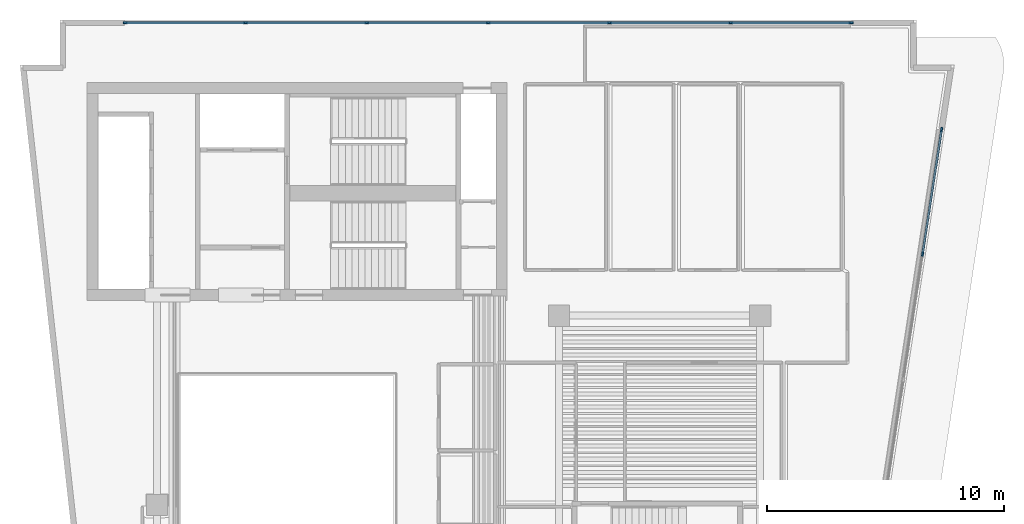
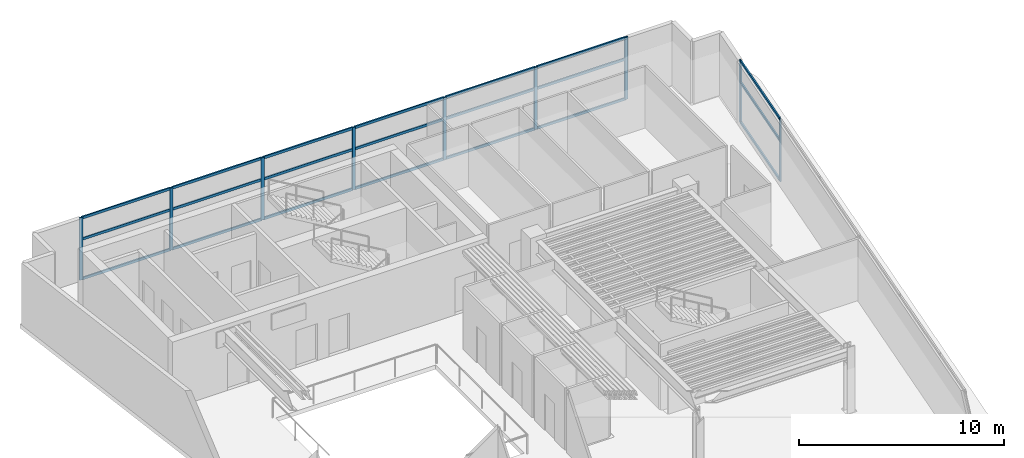
# One storey, part 2 of 8: 30 members, 2 elements without a shape of their own.
"""IFC4 building model written with IfcOpenShell, lengths in metres."""

import ifcopenshell
import ifcopenshell.guid

model = None  # the IFC model being written
_history = None  # IfcOwnerHistory: only IFC2X3 demands one
_inside = {}  # id of a spatial element -> (the spatial element, [elements in it])
_under = {}  # id of a project, library or spatial element -> (it, [spatial elements below it])
_declared = {}  # id of a project -> (the project, [libraries it declares])
_typed = {}  # id of a type object -> (the type object, [elements of that type])
_made_of = {}  # id of a material, layer set ... -> (it, [elements and type objects made of it])


def new_model(schema):
    """Start an empty IFC model of exactly this schema.

    Asked for "IFC4X3", IfcOpenShell would pick the latest addendum, in which some entities
    have other attributes; the version numbers below select the first issue.
    IFC2X3 requires an IfcOwnerHistory on every rooted entity: one is made here for all.
    """
    global model, _history
    if schema == "IFC4X3":
        model = ifcopenshell.file(schema_version=(4, 3, 0, 0))
    else:
        model = ifcopenshell.file(schema=schema)
    _inside.clear()
    _under.clear()
    _declared.clear()
    _typed.clear()
    _made_of.clear()
    _history = None
    if model.schema == "IFC2X3":
        org = make("IfcOrganization", Name="unknown")
        user = make(
            "IfcPersonAndOrganization",
            ThePerson=make("IfcPerson", FamilyName="unknown"),
            TheOrganization=org,
        )
        app = make(
            "IfcApplication",
            ApplicationDeveloper=org,
            Version="unknown",
            ApplicationFullName="unknown",
            ApplicationIdentifier="unknown",
        )
        _history = make(
            "IfcOwnerHistory",
            OwningUser=user,
            OwningApplication=app,
            ChangeAction="ADDED",
            CreationDate=0,
        )
    return model


def make(cls, **values):
    """One entity of the class cls with the attributes given. An attribute that is None is left unset."""
    return model.create_entity(
        cls, **{name: value for name, value in values.items() if value is not None}
    )


def rooted(cls, **values):
    """An entity with a GlobalId (a new one), such as an element, a storey or a relation."""
    return make(cls, GlobalId=ifcopenshell.guid.new(), OwnerHistory=_history, **values)


def si_unit(unit_type, name, prefix=None):
    """IfcSIUnit, for example si_unit("LENGTHUNIT", "METRE", prefix="MILLI")."""
    return make("IfcSIUnit", UnitType=unit_type, Prefix=prefix, Name=name)


def assignment(units):
    """IfcUnitAssignment: the units of a project."""
    return None if units is None else make("IfcUnitAssignment", Units=units)


def point(xyz):
    """IfcCartesianPoint."""
    return None if xyz is None else make("IfcCartesianPoint", Coordinates=xyz)


def direction(xyz):
    """IfcDirection."""
    return None if xyz is None else make("IfcDirection", DirectionRatios=xyz)


def frame(location, z_axis=None, x_axis=None):
    """IfcAxis2Placement3D, a coordinate frame: its origin and axes. An axis left out is left unset."""
    return make(
        "IfcAxis2Placement3D",
        Location=point(location),
        Axis=direction(z_axis),
        RefDirection=direction(x_axis),
    )


def frame_2d(location, x_axis=None):
    """IfcAxis2Placement2D, a coordinate frame in the plane: its origin and x axis."""
    return make(
        "IfcAxis2Placement2D", Location=point(location), RefDirection=direction(x_axis)
    )


def origin():
    """The frame at (0, 0, 0) with its axes left unset."""
    return frame((0.0, 0.0, 0.0))


def origin_2d():
    """The frame at (0, 0) in the plane with its x axis left unset."""
    return frame_2d((0.0, 0.0))


def place(relative_to, where):
    """IfcLocalPlacement: puts the frame where relative to a parent placement (None: the world)."""
    return make(
        "IfcLocalPlacement", PlacementRelTo=relative_to, RelativePlacement=where
    )


def context(
    kind, dimensions, precision=None, world=None, true_north=None, identifier=None
):
    """IfcGeometricRepresentationContext, for example the 3D "Model" context."""
    return make(
        "IfcGeometricRepresentationContext",
        ContextIdentifier=identifier,
        ContextType=kind,
        CoordinateSpaceDimension=dimensions,
        Precision=precision,
        WorldCoordinateSystem=world,
        TrueNorth=true_north,
    )


def subcontext(parent, identifier, kind, view, scale=None):
    """IfcGeometricRepresentationSubContext, for example "Body" below "Model"."""
    return make(
        "IfcGeometricRepresentationSubContext",
        ContextIdentifier=identifier,
        ContextType=kind,
        ParentContext=parent,
        TargetScale=scale,
        TargetView=view,
    )


def project(units=None, contexts=None):
    """IfcProject with its units and contexts."""
    return rooted(
        "IfcProject",
        Name="project",
        RepresentationContexts=contexts,
        UnitsInContext=assignment(units),
    )


def spatial(cls, under=None, at=None, **own):
    """A site, building, storey or space (cls), placed at a placement, below another one or the project."""
    s = rooted(cls, ObjectPlacement=at, **own)
    if under is not None:
        _under.setdefault(under.id(), (under, []))[1].append(s)
    return s


def profile(cls, at=None, kind="AREA", **sizes):
    """A parametric profile (cls). Its sizes go by their IFC names, for example OverallWidth=200.0."""
    return make(cls, ProfileType=kind, Position=at, **sizes)


def rectangle(**sizes):
    """IfcRectangleProfileDef."""
    return profile("IfcRectangleProfileDef", **sizes)


def extrude(swept, where, along, depth):
    """IfcExtrudedAreaSolid: the profile swept, set in the frame where, extruded along a direction by depth."""
    return make(
        "IfcExtrudedAreaSolid",
        SweptArea=swept,
        Position=where,
        ExtrudedDirection=direction(along),
        Depth=depth,
    )


def shape(context_of_items, identifier, shape_type, items):
    """IfcShapeRepresentation: the items that make up one representation, for example the "Body"."""
    return make(
        "IfcShapeRepresentation",
        ContextOfItems=context_of_items,
        RepresentationIdentifier=identifier,
        RepresentationType=shape_type,
        Items=items,
    )


def material(Name=None, Category=None):
    """IfcMaterial."""
    return make("IfcMaterial", Name=Name, Category=Category)


def layer(
    of_material, thickness, ventilated=None, Name=None, Category=None, Priority=None
):
    """IfcMaterialLayer: one layer of a wall or slab, of a material (None: an air gap)."""
    return make(
        "IfcMaterialLayer",
        Material=of_material,
        LayerThickness=thickness,
        IsVentilated=ventilated,
        Name=Name,
        Category=Category,
        Priority=Priority,
    )


def layer_set(layers, Name=None):
    """IfcMaterialLayerSet."""
    return make("IfcMaterialLayerSet", MaterialLayers=layers, LayerSetName=Name)


def material_profile(
    of_material, cross_section, Name=None, Category=None, Priority=None
):
    """IfcMaterialProfile: a cross section and its material."""
    return make(
        "IfcMaterialProfile",
        Name=Name,
        Material=of_material,
        Profile=cross_section,
        Priority=Priority,
        Category=Category,
    )


def profile_set(profiles, Name=None, composite=None):
    """IfcMaterialProfileSet."""
    return make(
        "IfcMaterialProfileSet",
        Name=Name,
        MaterialProfiles=profiles,
        CompositeProfile=composite,
    )


def made_of(thing, what):
    """Note that an element or type object is made of a material, layer set ...; save() writes the relation."""
    if what is not None:
        _made_of.setdefault(what.id(), (what, []))[1].append(thing)
    return thing


def type_object(cls, material=None, **own):
    """A type object (cls), such as IfcWallType, which elements share."""
    return made_of(rooted(cls, **own), material)


def element(
    cls,
    number,
    at=None,
    inside=None,
    cuts=None,
    type_object=None,
    material=None,
    context=None,
    identifier="Body",
    shape_type=None,
    held_by="IfcProductDefinitionShape",
    body=None,
    shapes=None,
    **own,
):
    """One element of the class cls, such as IfcWall. Its Tag is "e" and its number.

    at: its placement. inside: the storey or other place that contains it. cuts: it is an
    opening in that element (IfcRelVoidsElement). A single representation is given by context,
    identifier, shape_type and body (its items); several are given by shapes. held_by: the class
    of the entity that holds the representations. save() writes the other relations.
    """
    e = rooted(cls, Tag="e%d" % number, ObjectPlacement=at, **own)
    if body is not None:
        shapes = [shape(context, identifier, shape_type, body)]
    if shapes is not None:
        e.Representation = make(held_by, Representations=shapes)
    if inside is not None:
        _inside.setdefault(inside.id(), (inside, []))[1].append(e)
    if cuts is not None:
        rooted(
            "IfcRelVoidsElement", RelatingBuildingElement=cuts, RelatedOpeningElement=e
        )
    if type_object is not None:
        _typed.setdefault(type_object.id(), (type_object, []))[1].append(e)
    return made_of(e, material)


def aggregate(whole, parts):
    """IfcRelAggregates: a whole, such as a stair, and the parts it consists of."""
    return rooted("IfcRelAggregates", RelatingObject=whole, RelatedObjects=parts)


def save(model, path):
    """Write the relations noted so far, then the file.

    IfcRelAggregates (storeys below a building ...), IfcRelContainedInSpatialStructure (elements
    in a storey), IfcRelDefinesByType, IfcRelAssociatesMaterial and IfcRelDeclares: one each for
    every whole, place, type object, material and project.
    """
    for whole, parts in _under.values():
        aggregate(whole, parts)
    for where, things in _inside.values():
        rooted(
            "IfcRelContainedInSpatialStructure",
            RelatedElements=things,
            RelatingStructure=where,
        )
    for kind, things in _typed.values():
        rooted("IfcRelDefinesByType", RelatedObjects=things, RelatingType=kind)
    for what, things in _made_of.values():
        rooted("IfcRelAssociatesMaterial", RelatedObjects=things, RelatingMaterial=what)
    for by, libraries in _declared.values():
        rooted("IfcRelDeclares", RelatingContext=by, RelatedDefinitions=libraries)
    model.write(path)


model = new_model("IFC4")

# Units and contexts
model_context = context("Model", 3, precision=1e-05, world=origin(), true_north=direction((0.0, 1.0)))
body_context = subcontext(model_context, "Body", "Model", "MODEL_VIEW")
ifc_project = project(units=[si_unit("LENGTHUNIT", "METRE"), si_unit("AREAUNIT", "SQUARE_METRE"), si_unit("VOLUMEUNIT", "CUBIC_METRE"), si_unit("PLANEANGLEUNIT", "RADIAN"), si_unit("MASSUNIT", "GRAM", prefix="KILO")], contexts=[model_context])

# Site, building, storey
site_placement = place(None, origin())
site = spatial("IfcSite", under=ifc_project, at=site_placement, CompositionType="ELEMENT")
building_placement = place(site_placement, origin())
building = spatial("IfcBuilding", under=site, at=building_placement, Name="Caeloran Harvest Quay", CompositionType="ELEMENT")
storey_placement = place(building_placement, frame((0.0, 0.0, 235.10009765625)))
storey = spatial("IfcBuildingStorey", under=building, at=storey_placement, Name="L56", CompositionType="ELEMENT", Elevation=235.10009765625)

# Curtain wall, members
ifc_material_1 = material(Name="Aluminium 6063-T6 and Low-E Glazing", Category="aluminium")
ifc_layer = layer(ifc_material_1, 0.219970703125, Name="Aluminium 6063-T6 and Low-E Glazing")
ifc_layer_set = layer_set([ifc_layer], Name="Aluminium 6063-T6 and Low-E Glazing")
curtain_wall_type = type_object("IfcCurtainWallType", Name="CW-SYS-CW-5", PredefinedType="USERDEFINED", material=ifc_layer_set)
curtain_wall_1_placement = place(storey_placement, origin())
curtain_wall_1 = element("IfcCurtainWall", 1, at=curtain_wall_1_placement, inside=storey, type_object=curtain_wall_type, Name="L56 Unitised Curtain Wall CW-5 Run 6", ObjectType="CURTAIN_WALL", PredefinedType="USERDEFINED")
ifc_material_2 = material(Name="Aluminium 6063-T6", Category="aluminium")
ifc_material_profile_1 = material_profile(ifc_material_2, rectangle(XDim=0.080078125, YDim=0.179931640625, at=origin_2d()), Name="CW-MULLION-180")
ifc_profile_set_1 = profile_set([ifc_material_profile_1], Name="Aluminium 6063-T6")
member_type_1 = type_object("IfcMemberType", Name="CW-MULLION-180", PredefinedType="MULLION", material=ifc_profile_set_1)
member_1_placement = place(storey_placement, frame((7.159912109375, 43.3798828125, 0.0), z_axis=(0.0, 0.0, 1.0), x_axis=(0.0, 1.0, 0.0)))
member_1 = element("IfcMember", 2, at=member_1_placement, type_object=member_type_1, Name="CW-5 mullion 1", PredefinedType="MULLION", context=body_context, shape_type="SweptSolid", body=[
    extrude(rectangle(XDim=0.080078125, YDim=0.179931640625, at=origin_2d()), origin(), (0.0, 0.0, 1.0), 3.699951171875),
])
member_2_placement = place(storey_placement, frame((12.24658203125, 43.3798828125, 0.0), z_axis=(0.0, 0.0, 1.0), x_axis=(0.0, 1.0, 0.0)))
member_2 = element("IfcMember", 3, at=member_2_placement, type_object=member_type_1, Name="CW-5 mullion 2", PredefinedType="MULLION", context=body_context, shape_type="SweptSolid", body=[
    extrude(rectangle(XDim=0.080078125, YDim=0.179931640625, at=origin_2d()), origin(), (0.0, 0.0, 1.0), 3.699951171875),
])
member_3_placement = place(storey_placement, frame((17.373291015625, 43.3798828125, 0.0), z_axis=(0.0, 0.0, 1.0), x_axis=(0.0, 1.0, 0.0)))
member_3 = element("IfcMember", 4, at=member_3_placement, type_object=member_type_1, Name="CW-5 mullion 3", PredefinedType="MULLION", context=body_context, shape_type="SweptSolid", body=[
    extrude(rectangle(XDim=0.080078125, YDim=0.179931640625, at=origin_2d()), origin(), (0.0, 0.0, 1.0), 3.699951171875),
])
member_4_placement = place(storey_placement, frame((22.5, 43.3798828125, 0.0), z_axis=(0.0, 0.0, 1.0), x_axis=(0.0, 1.0, 0.0)))
member_4 = element("IfcMember", 5, at=member_4_placement, type_object=member_type_1, Name="CW-5 mullion 4", PredefinedType="MULLION", context=body_context, shape_type="SweptSolid", body=[
    extrude(rectangle(XDim=0.080078125, YDim=0.179931640625, at=origin_2d()), origin(), (0.0, 0.0, 1.0), 3.699951171875),
])
member_5_placement = place(storey_placement, frame((27.626708984375, 43.3798828125, 0.0), z_axis=(0.0, 0.0, 1.0), x_axis=(0.0, 1.0, 0.0)))
member_5 = element("IfcMember", 6, at=member_5_placement, type_object=member_type_1, Name="CW-5 mullion 5", PredefinedType="MULLION", context=body_context, shape_type="SweptSolid", body=[
    extrude(rectangle(XDim=0.080078125, YDim=0.179931640625, at=origin_2d()), origin(), (0.0, 0.0, 1.0), 3.699951171875),
])
member_6_placement = place(storey_placement, frame((32.75341796875, 43.3798828125, 0.0), z_axis=(0.0, 0.0, 1.0), x_axis=(0.0, 1.0, 0.0)))
member_6 = element("IfcMember", 7, at=member_6_placement, type_object=member_type_1, Name="CW-5 mullion 6", PredefinedType="MULLION", context=body_context, shape_type="SweptSolid", body=[
    extrude(rectangle(XDim=0.080078125, YDim=0.179931640625, at=origin_2d()), origin(), (0.0, 0.0, 1.0), 3.699951171875),
])
member_7_placement = place(storey_placement, frame((37.840087890625, 43.3798828125, 0.0), z_axis=(0.0, 0.0, 1.0), x_axis=(0.0, 1.0, 0.0)))
member_7 = element("IfcMember", 8, at=member_7_placement, type_object=member_type_1, Name="CW-5 mullion 7", PredefinedType="MULLION", context=body_context, shape_type="SweptSolid", body=[
    extrude(rectangle(XDim=0.080078125, YDim=0.179931640625, at=origin_2d()), origin(), (0.0, 0.0, 1.0), 3.699951171875),
])

curtain_wall_2_placement = place(storey_placement, origin())
curtain_wall_2 = element("IfcCurtainWall", 9, at=curtain_wall_2_placement, inside=storey, type_object=curtain_wall_type, Name="L56 Unitised Curtain Wall CW-5 Run 9", ObjectType="CURTAIN_WALL", PredefinedType="USERDEFINED")
member_8_placement = place(storey_placement, frame((41.671142578125, 38.870361328125, 0.0), z_axis=(0.0, 0.0, 1.0), x_axis=(0.988529547698, -0.151027591278, 0.0)))
member_8 = element("IfcMember", 10, at=member_8_placement, type_object=member_type_1, Name="CW-5 mullion 1", PredefinedType="MULLION", context=body_context, shape_type="SweptSolid", body=[
    extrude(rectangle(XDim=0.080078125, YDim=0.179931640625, at=origin_2d()), origin(), (0.0, 0.0, 1.0), 3.699951171875),
])
member_9_placement = place(storey_placement, frame((40.8671875, 33.6064453125, 0.0), z_axis=(0.0, 0.0, 1.0), x_axis=(0.988529547698, -0.151027591278, 0.0)))
member_9 = element("IfcMember", 11, at=member_9_placement, type_object=member_type_1, Name="CW-5 mullion 2", PredefinedType="MULLION", context=body_context, shape_type="SweptSolid", body=[
    extrude(rectangle(XDim=0.080078125, YDim=0.179931640625, at=origin_2d()), origin(), (0.0, 0.0, 1.0), 3.699951171875),
])

# Member
ifc_material_profile_2 = material_profile(ifc_material_2, rectangle(XDim=0.080078125, YDim=0.14990234375, at=origin_2d()), Name="CW-TRANSOM-150")
ifc_profile_set_2 = profile_set([ifc_material_profile_2], Name="Aluminium 6063-T6")
member_type_2 = type_object("IfcMemberType", Name="CW-TRANSOM-150", PredefinedType="USERDEFINED", material=ifc_profile_set_2)
member_10_placement = place(storey_placement, frame((7.199951171875, 43.3798828125, 0.039794921875), z_axis=(1.0, 0.0, 0.0), x_axis=(0.0, 1.0, 0.0)))
member_10 = element("IfcMember", 12, at=member_10_placement, type_object=member_type_2, Name="CW-5 transom 1.1", ObjectType="TRANSOM", PredefinedType="USERDEFINED", context=body_context, shape_type="SweptSolid", body=[
    extrude(rectangle(XDim=0.080078125, YDim=0.14990234375, at=origin_2d()), origin(), (0.0, 0.0, 1.0), 5.0068359375),
])

member_11_placement = place(storey_placement, frame((7.199951171875, 43.3798828125, 2.39990234375), z_axis=(1.0, 0.0, 0.0), x_axis=(0.0, 1.0, 0.0)))
member_11 = element("IfcMember", 13, at=member_11_placement, type_object=member_type_2, Name="CW-5 transom 1.2", ObjectType="TRANSOM", PredefinedType="USERDEFINED", context=body_context, shape_type="SweptSolid", body=[
    extrude(rectangle(XDim=0.080078125, YDim=0.14990234375, at=origin_2d()), origin(), (0.0, 0.0, 1.0), 5.0068359375),
])

member_12_placement = place(storey_placement, frame((7.199951171875, 43.3798828125, 3.659912109375), z_axis=(1.0, 0.0, 0.0), x_axis=(0.0, 1.0, 0.0)))
member_12 = element("IfcMember", 14, at=member_12_placement, type_object=member_type_2, Name="CW-5 transom 1.3", ObjectType="TRANSOM", PredefinedType="USERDEFINED", context=body_context, shape_type="SweptSolid", body=[
    extrude(rectangle(XDim=0.080078125, YDim=0.14990234375, at=origin_2d()), origin(), (0.0, 0.0, 1.0), 5.0068359375),
])

member_13_placement = place(storey_placement, frame((12.28662109375, 43.3798828125, 0.039794921875), z_axis=(1.0, 0.0, 0.0), x_axis=(0.0, 1.0, 0.0)))
member_13 = element("IfcMember", 15, at=member_13_placement, type_object=member_type_2, Name="CW-5 transom 2.1", ObjectType="TRANSOM", PredefinedType="USERDEFINED", context=body_context, shape_type="SweptSolid", body=[
    extrude(rectangle(XDim=0.080078125, YDim=0.14990234375, at=origin_2d()), origin(), (0.0, 0.0, 1.0), 5.046630859375),
])

member_14_placement = place(storey_placement, frame((12.28662109375, 43.3798828125, 2.39990234375), z_axis=(1.0, 0.0, 0.0), x_axis=(0.0, 1.0, 0.0)))
member_14 = element("IfcMember", 16, at=member_14_placement, type_object=member_type_2, Name="CW-5 transom 2.2", ObjectType="TRANSOM", PredefinedType="USERDEFINED", context=body_context, shape_type="SweptSolid", body=[
    extrude(rectangle(XDim=0.080078125, YDim=0.14990234375, at=origin_2d()), origin(), (0.0, 0.0, 1.0), 5.046630859375),
])

member_15_placement = place(storey_placement, frame((12.28662109375, 43.3798828125, 3.659912109375), z_axis=(1.0, 0.0, 0.0), x_axis=(0.0, 1.0, 0.0)))
member_15 = element("IfcMember", 17, at=member_15_placement, type_object=member_type_2, Name="CW-5 transom 2.3", ObjectType="TRANSOM", PredefinedType="USERDEFINED", context=body_context, shape_type="SweptSolid", body=[
    extrude(rectangle(XDim=0.080078125, YDim=0.14990234375, at=origin_2d()), origin(), (0.0, 0.0, 1.0), 5.046630859375),
])

member_16_placement = place(storey_placement, frame((17.413330078125, 43.3798828125, 0.039794921875), z_axis=(1.0, 0.0, 0.0), x_axis=(0.0, 1.0, 0.0)))
member_16 = element("IfcMember", 18, at=member_16_placement, type_object=member_type_2, Name="CW-5 transom 3.1", ObjectType="TRANSOM", PredefinedType="USERDEFINED", context=body_context, shape_type="SweptSolid", body=[
    extrude(rectangle(XDim=0.080078125, YDim=0.14990234375, at=origin_2d()), origin(), (0.0, 0.0, 1.0), 5.046630859375),
])

member_17_placement = place(storey_placement, frame((17.413330078125, 43.3798828125, 2.39990234375), z_axis=(1.0, 0.0, 0.0), x_axis=(0.0, 1.0, 0.0)))
member_17 = element("IfcMember", 19, at=member_17_placement, type_object=member_type_2, Name="CW-5 transom 3.2", ObjectType="TRANSOM", PredefinedType="USERDEFINED", context=body_context, shape_type="SweptSolid", body=[
    extrude(rectangle(XDim=0.080078125, YDim=0.14990234375, at=origin_2d()), origin(), (0.0, 0.0, 1.0), 5.046630859375),
])

member_18_placement = place(storey_placement, frame((17.413330078125, 43.3798828125, 3.659912109375), z_axis=(1.0, 0.0, 0.0), x_axis=(0.0, 1.0, 0.0)))
member_18 = element("IfcMember", 20, at=member_18_placement, type_object=member_type_2, Name="CW-5 transom 3.3", ObjectType="TRANSOM", PredefinedType="USERDEFINED", context=body_context, shape_type="SweptSolid", body=[
    extrude(rectangle(XDim=0.080078125, YDim=0.14990234375, at=origin_2d()), origin(), (0.0, 0.0, 1.0), 5.046630859375),
])

member_19_placement = place(storey_placement, frame((22.5400390625, 43.3798828125, 0.039794921875), z_axis=(1.0, 0.0, 0.0), x_axis=(0.0, 1.0, 0.0)))
member_19 = element("IfcMember", 21, at=member_19_placement, type_object=member_type_2, Name="CW-5 transom 4.1", ObjectType="TRANSOM", PredefinedType="USERDEFINED", context=body_context, shape_type="SweptSolid", body=[
    extrude(rectangle(XDim=0.080078125, YDim=0.14990234375, at=origin_2d()), origin(), (0.0, 0.0, 1.0), 5.046630859375),
])

member_20_placement = place(storey_placement, frame((22.5400390625, 43.3798828125, 2.39990234375), z_axis=(1.0, 0.0, 0.0), x_axis=(0.0, 1.0, 0.0)))
member_20 = element("IfcMember", 22, at=member_20_placement, type_object=member_type_2, Name="CW-5 transom 4.2", ObjectType="TRANSOM", PredefinedType="USERDEFINED", context=body_context, shape_type="SweptSolid", body=[
    extrude(rectangle(XDim=0.080078125, YDim=0.14990234375, at=origin_2d()), origin(), (0.0, 0.0, 1.0), 5.046630859375),
])

member_21_placement = place(storey_placement, frame((22.5400390625, 43.3798828125, 3.659912109375), z_axis=(1.0, 0.0, 0.0), x_axis=(0.0, 1.0, 0.0)))
member_21 = element("IfcMember", 23, at=member_21_placement, type_object=member_type_2, Name="CW-5 transom 4.3", ObjectType="TRANSOM", PredefinedType="USERDEFINED", context=body_context, shape_type="SweptSolid", body=[
    extrude(rectangle(XDim=0.080078125, YDim=0.14990234375, at=origin_2d()), origin(), (0.0, 0.0, 1.0), 5.046630859375),
])

member_22_placement = place(storey_placement, frame((27.666748046875, 43.3798828125, 0.039794921875), z_axis=(1.0, 0.0, 0.0), x_axis=(0.0, 1.0, 0.0)))
member_22 = element("IfcMember", 24, at=member_22_placement, type_object=member_type_2, Name="CW-5 transom 5.1", ObjectType="TRANSOM", PredefinedType="USERDEFINED", context=body_context, shape_type="SweptSolid", body=[
    extrude(rectangle(XDim=0.080078125, YDim=0.14990234375, at=origin_2d()), origin(), (0.0, 0.0, 1.0), 5.046630859375),
])

member_23_placement = place(storey_placement, frame((27.666748046875, 43.3798828125, 2.39990234375), z_axis=(1.0, 0.0, 0.0), x_axis=(0.0, 1.0, 0.0)))
member_23 = element("IfcMember", 25, at=member_23_placement, type_object=member_type_2, Name="CW-5 transom 5.2", ObjectType="TRANSOM", PredefinedType="USERDEFINED", context=body_context, shape_type="SweptSolid", body=[
    extrude(rectangle(XDim=0.080078125, YDim=0.14990234375, at=origin_2d()), origin(), (0.0, 0.0, 1.0), 5.046630859375),
])

member_24_placement = place(storey_placement, frame((27.666748046875, 43.3798828125, 3.659912109375), z_axis=(1.0, 0.0, 0.0), x_axis=(0.0, 1.0, 0.0)))
member_24 = element("IfcMember", 26, at=member_24_placement, type_object=member_type_2, Name="CW-5 transom 5.3", ObjectType="TRANSOM", PredefinedType="USERDEFINED", context=body_context, shape_type="SweptSolid", body=[
    extrude(rectangle(XDim=0.080078125, YDim=0.14990234375, at=origin_2d()), origin(), (0.0, 0.0, 1.0), 5.046630859375),
])

member_25_placement = place(storey_placement, frame((32.793212890625, 43.3798828125, 0.039794921875), z_axis=(1.0, 0.0, 0.0), x_axis=(0.0, 1.0, 0.0)))
member_25 = element("IfcMember", 27, at=member_25_placement, type_object=member_type_2, Name="CW-5 transom 6.1", ObjectType="TRANSOM", PredefinedType="USERDEFINED", context=body_context, shape_type="SweptSolid", body=[
    extrude(rectangle(XDim=0.080078125, YDim=0.14990234375, at=origin_2d()), origin(), (0.0, 0.0, 1.0), 5.0068359375),
])

member_26_placement = place(storey_placement, frame((32.793212890625, 43.3798828125, 2.39990234375), z_axis=(1.0, 0.0, 0.0), x_axis=(0.0, 1.0, 0.0)))
member_26 = element("IfcMember", 28, at=member_26_placement, type_object=member_type_2, Name="CW-5 transom 6.2", ObjectType="TRANSOM", PredefinedType="USERDEFINED", context=body_context, shape_type="SweptSolid", body=[
    extrude(rectangle(XDim=0.080078125, YDim=0.14990234375, at=origin_2d()), origin(), (0.0, 0.0, 1.0), 5.0068359375),
])

member_27_placement = place(storey_placement, frame((32.793212890625, 43.3798828125, 3.659912109375), z_axis=(1.0, 0.0, 0.0), x_axis=(0.0, 1.0, 0.0)))
member_27 = element("IfcMember", 29, at=member_27_placement, type_object=member_type_2, Name="CW-5 transom 6.3", ObjectType="TRANSOM", PredefinedType="USERDEFINED", context=body_context, shape_type="SweptSolid", body=[
    extrude(rectangle(XDim=0.080078125, YDim=0.14990234375, at=origin_2d()), origin(), (0.0, 0.0, 1.0), 5.0068359375),
])

aggregate(curtain_wall_1, [member_1, member_2, member_3, member_4, member_5, member_6, member_7, member_10, member_11, member_12, member_13, member_14, member_15, member_16, member_17, member_18, member_19, member_20, member_21, member_22, member_23, member_24, member_25, member_26, member_27])

member_28_placement = place(storey_placement, frame((41.665283203125, 38.830810546875, 0.039794921875), z_axis=(-0.151046246318, -0.9885266974, 0.0), x_axis=(0.9885266974, -0.151046246318, 0.0)))
member_28 = element("IfcMember", 30, at=member_28_placement, type_object=member_type_2, Name="CW-5 transom 1.1", ObjectType="TRANSOM", PredefinedType="USERDEFINED", context=body_context, shape_type="SweptSolid", body=[
    extrude(rectangle(XDim=0.080078125, YDim=0.14990234375, at=origin_2d()), origin(), (0.0, 0.0, 1.0), 5.244873046875),
])

member_29_placement = place(storey_placement, frame((41.665283203125, 38.830810546875, 2.39990234375), z_axis=(-0.151046246318, -0.9885266974, 0.0), x_axis=(0.9885266974, -0.151046246318, 0.0)))
member_29 = element("IfcMember", 31, at=member_29_placement, type_object=member_type_2, Name="CW-5 transom 1.2", ObjectType="TRANSOM", PredefinedType="USERDEFINED", context=body_context, shape_type="SweptSolid", body=[
    extrude(rectangle(XDim=0.080078125, YDim=0.14990234375, at=origin_2d()), origin(), (0.0, 0.0, 1.0), 5.244873046875),
])

member_30_placement = place(storey_placement, frame((41.665283203125, 38.830810546875, 3.659912109375), z_axis=(-0.151046246318, -0.9885266974, 0.0), x_axis=(0.9885266974, -0.151046246318, 0.0)))
member_30 = element("IfcMember", 32, at=member_30_placement, type_object=member_type_2, Name="CW-5 transom 1.3", ObjectType="TRANSOM", PredefinedType="USERDEFINED", context=body_context, shape_type="SweptSolid", body=[
    extrude(rectangle(XDim=0.080078125, YDim=0.14990234375, at=origin_2d()), origin(), (0.0, 0.0, 1.0), 5.244873046875),
])

aggregate(curtain_wall_2, [member_8, member_9, member_28, member_29, member_30])

save(model, "model.ifc")
